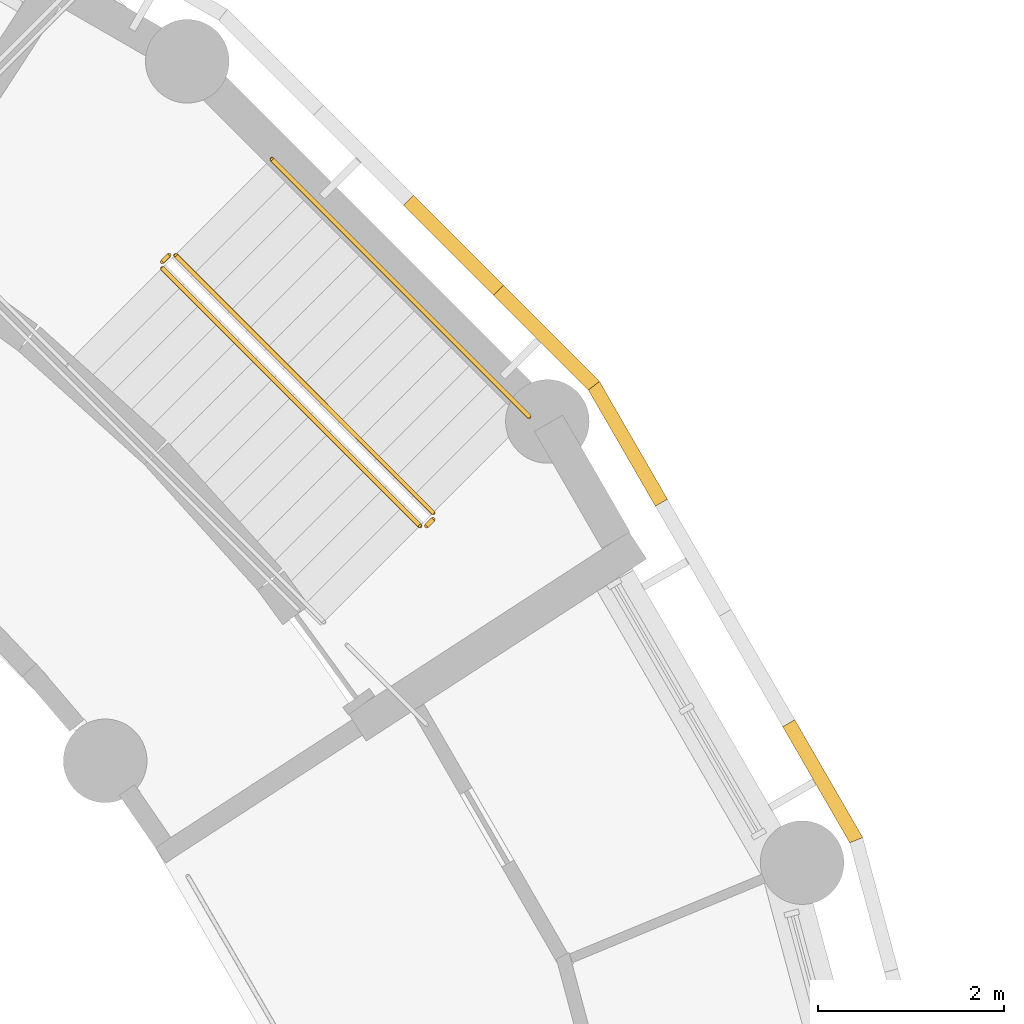
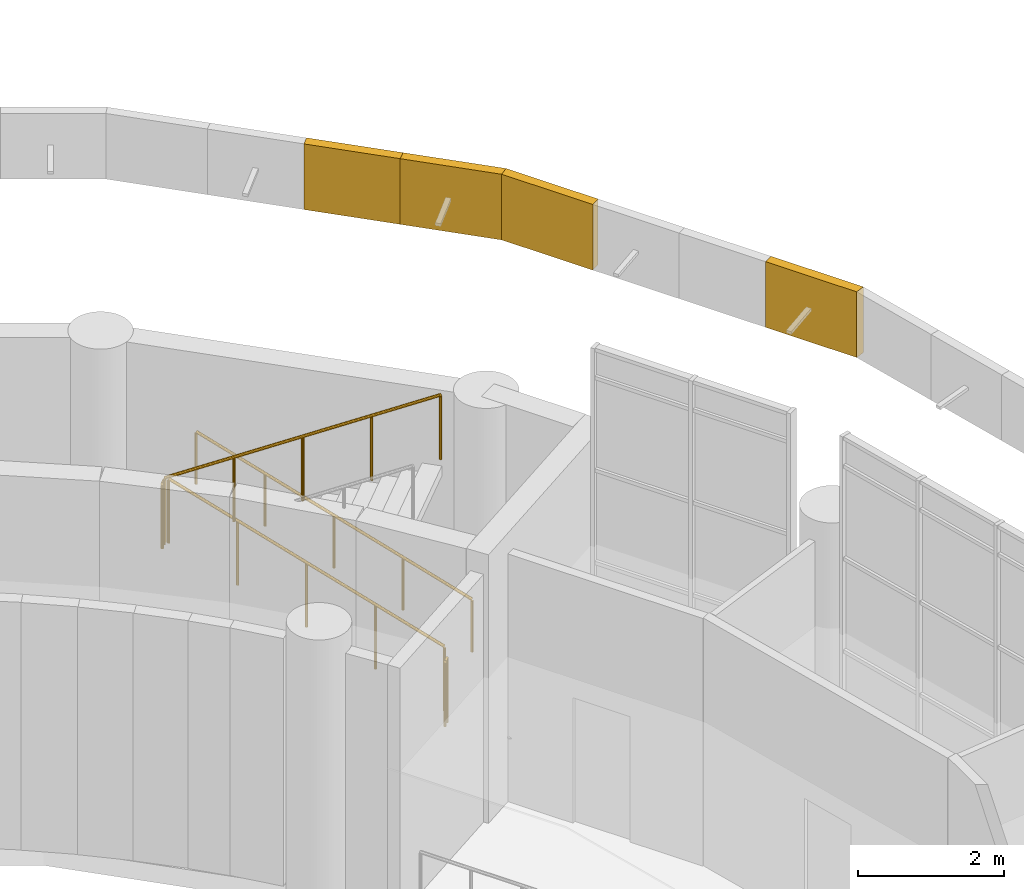
# One storey, part 119 of 136: 5 railings, 4 coverings.
"""IFC4 building model written with IfcOpenShell, lengths in metres."""

from ifc_helpers import new_model, si_unit, direction, frame, origin, origin_2d, place, context, subcontext, project, spatial, polyline, circle, outline, extrude, material, layer, layer_set, type_object, element, save


model = new_model("IFC4")

# Units and contexts
model_context = context("Model", 3, precision=1e-05, world=origin(), true_north=direction((0.0, 1.0)))
body_context = subcontext(model_context, "Body", "Model", "MODEL_VIEW")
ifc_project = project(units=[si_unit("LENGTHUNIT", "METRE"), si_unit("AREAUNIT", "SQUARE_METRE"), si_unit("VOLUMEUNIT", "CUBIC_METRE"), si_unit("PLANEANGLEUNIT", "RADIAN"), si_unit("MASSUNIT", "GRAM", prefix="KILO")], contexts=[model_context])

# Site, building, storey
site_placement = place(None, origin())
site = spatial("IfcSite", under=ifc_project, at=site_placement, CompositionType="ELEMENT")
building_placement = place(site_placement, origin())
building = spatial("IfcBuilding", under=site, at=building_placement, Name="Bougainvillea Quay General Hospital", CompositionType="ELEMENT")
storey_placement = place(building_placement, frame((0.0, 0.0, 5.39990234375)))
storey = spatial("IfcBuildingStorey", under=building, at=storey_placement, Name="L01", CompositionType="ELEMENT", Elevation=5.39990234375)

# Coverings
ifc_material_1 = material(Name="Powder-coated aluminium fascia, white", Category="aluminium")
ifc_layer = layer(ifc_material_1, 0.14990234375)
ifc_layer_set = layer_set([ifc_layer], Name="Powder-coated aluminium fascia, white")
covering_type = type_object("IfcCoveringType", Name="Aluminium fascia band white 150x1100", PredefinedType="CLADDING", material=ifc_layer_set)
covering_1_placement = place(storey_placement, frame((129.113525390625, 82.248291015625, 6.650146484375), z_axis=(0.0, 0.0, 1.0), x_axis=(-0.49994213401, 0.866058810152, 0.0)))
element("IfcCovering", 1, at=covering_1_placement, inside=storey, type_object=covering_type, Name="Fascia band white e1 7", PredefinedType="CLADDING", context=body_context, shape_type="SweptSolid", body=[
    extrude(outline(polyline([(0.0, 0.0), (1.4430380994058942, 0.0), (1.443016331686934, -0.14995740286665526), (-0.019704824865206458, -0.14987107548026693), (0.0, 0.0)])), origin(), (0.0, 0.0, 1.0), 1.10009765625),
])
covering_2_placement = place(storey_placement, frame((127.021484375, 85.8720703125, 6.650146484375), z_axis=(0.0, 0.0, 1.0), x_axis=(-0.500015396624, 0.866016514357, 0.0)))
element("IfcCovering", 2, at=covering_2_placement, inside=storey, type_object=covering_type, Name="Fascia band white e1 10", PredefinedType="CLADDING", context=body_context, shape_type="SweptSolid", body=[
    extrude(outline(polyline([(0.0, 0.0), (1.4428266644293797, 0.0), (1.4626866906226388, -0.15016746703797101), (-3.44533927520152e-05, -0.1499574004886377), (0.0, 0.0)])), origin(), (0.0, 0.0, 1.0), 1.10009765625),
])
covering_3_placement = place(storey_placement, frame((126.300048828125, 87.12158203125, 6.650146484375), z_axis=(0.0, 0.0, 1.0), x_axis=(-0.707022163611, 0.707191388638, 0.0)))
element("IfcCovering", 3, at=covering_3_placement, inside=storey, type_object=covering_type, Name="Fascia band white e1 11", PredefinedType="CLADDING", context=body_context, shape_type="SweptSolid", body=[
    extrude(outline(polyline([(0.0, 0.0), (1.4426980987993736, 1.1102230246251565e-16), (1.4428886835284849, -0.15001848238266435), (-0.019662245993976327, -0.15019349146840363), (0.0, 0.0)])), origin(), (0.0, 0.0, 1.0), 1.10009765625),
])
covering_4_placement = place(storey_placement, frame((125.280029296875, 88.141845703125, 6.650146484375), z_axis=(0.0, 0.0, 1.0), x_axis=(-0.707195843064, 0.707017708091, 0.0)))
element("IfcCovering", 4, at=covering_4_placement, inside=storey, type_object=covering_type, Name="Fascia band white e1 12", PredefinedType="CLADDING", context=body_context, shape_type="SweptSolid", body=[
    extrude(outline(polyline([(0.0, 0.0), (1.3705372998959335, 0.0), (1.3705183817530422, -0.15019113641407222), (0.00015373709223164, -0.15001852466893292), (0.0, 0.0)])), origin(), (0.0, 0.0, 1.0), 1.10009765625),
])

# Railings
ifc_material_2 = material(Name="Stainless steel 304 balustrade", Category="steel")
railing_type_1 = type_object("IfcRailingType", Name="Stair guard 1100", PredefinedType="GUARDRAIL", material=ifc_material_2)
railing_1_placement = place(storey_placement, frame((124.62939453125, 85.80078125, 0.150146484375)))
element("IfcRailing", 5, at=railing_1_placement, inside=storey, type_object=railing_type_1, Name="L01 ST-H1 stair guard 1", PredefinedType="GUARDRAIL", context=body_context, shape_type="SweptSolid", body=[
    extrude(circle(Radius=0.02392578125, at=origin_2d()), frame((0.0, 0.0, 1.076171875), z_axis=(-0.623282307951, 0.623337208181, 0.472196875776), x_axis=(-0.707137920976, -0.707075640025, 0.0)), (0.0, 0.0, 1.0), 4.447021484375),
    extrude(circle(Radius=0.02099609375, at=origin_2d()), origin(), (0.0, 0.0, 1.0), 1.052001953125),
    extrude(circle(Radius=0.02099609375, at=origin_2d()), frame((-0.69287109375, 0.69287109375, 0.52490234375)), (0.0, 0.0, 1.0), 1.052001953125),
    extrude(circle(Radius=0.02099609375, at=origin_2d()), frame((-1.3857421875, 1.385986328125, 1.0498046875)), (0.0, 0.0, 1.0), 1.052001953125),
    extrude(circle(Radius=0.02099609375, at=origin_2d()), frame((-2.078857421875, 2.0791015625, 1.574951171875)), (0.0, 0.0, 1.0), 1.052001953125),
    extrude(circle(Radius=0.02099609375, at=origin_2d()), frame((-2.771728515625, 2.77197265625, 2.099853515625)), (0.0, 0.0, 1.0), 1.052001953125),
])
railing_2_placement = place(storey_placement, frame((121.786865234375, 88.57275390625, 2.25)))
element("IfcRailing", 6, at=railing_2_placement, inside=storey, type_object=railing_type_1, Name="L01 ST-H1 stair guard 2", PredefinedType="GUARDRAIL", context=body_context, shape_type="SweptSolid", body=[
    extrude(circle(Radius=0.02392578125, at=origin_2d()), frame((0.0, 0.0, 1.076171875), z_axis=(-0.707106781187, -0.707106781187, 0.0), x_axis=(0.707106781187, -0.707106781187, 0.0)), (0.0, 0.0, 1.0), 0.10009765625),
    extrude(circle(Radius=0.02099609375, at=origin_2d()), origin(), (0.0, 0.0, 1.0), 1.052001953125),
    extrude(circle(Radius=0.02099609375, at=origin_2d()), frame((-0.07080078125, -0.07080078125, 0.0)), (0.0, 0.0, 1.0), 1.052001953125),
])
railing_3_placement = place(storey_placement, frame((121.716064453125, 88.43115234375, 2.400146484375)))
element("IfcRailing", 7, at=railing_3_placement, inside=storey, type_object=railing_type_1, Name="L01 ST-H1 stair guard 5", PredefinedType="GUARDRAIL", context=body_context, shape_type="SweptSolid", body=[
    extrude(circle(Radius=0.02392578125, at=origin_2d()), frame((0.0, 0.0, 1.076171875), z_axis=(0.623337208181, -0.623282307951, 0.472196875776), x_axis=(0.707075640025, 0.707137920976, 0.0)), (0.0, 0.0, 1.0), 4.447021484375),
    extrude(circle(Radius=0.02099609375, at=origin_2d()), origin(), (0.0, 0.0, 1.0), 1.052001953125),
    extrude(circle(Radius=0.02099609375, at=origin_2d()), frame((0.69287109375, -0.69287109375, 0.52490234375)), (0.0, 0.0, 1.0), 1.052001953125),
    extrude(circle(Radius=0.02099609375, at=origin_2d()), frame((1.385986328125, -1.3857421875, 1.0498046875)), (0.0, 0.0, 1.0), 1.052001953125),
    extrude(circle(Radius=0.02099609375, at=origin_2d()), frame((2.0791015625, -2.078857421875, 1.574951171875)), (0.0, 0.0, 1.0), 1.052001953125),
    extrude(circle(Radius=0.02099609375, at=origin_2d()), frame((2.77197265625, -2.771728515625, 2.099853515625)), (0.0, 0.0, 1.0), 1.052001953125),
])
railing_4_placement = place(storey_placement, frame((124.62939453125, 85.72998046875, 0.0)))
element("IfcRailing", 8, at=railing_4_placement, inside=storey, type_object=railing_type_1, Name="L01 ST-H1 stair guard 6", PredefinedType="GUARDRAIL", context=body_context, shape_type="SweptSolid", body=[
    extrude(circle(Radius=0.02392578125, at=origin_2d()), frame((0.0, 0.0, 1.076171875), z_axis=(-0.707106781187, -0.707106781187, 0.0), x_axis=(0.707106781187, -0.707106781187, 0.0)), (0.0, 0.0, 1.0), 0.099853515625),
    extrude(circle(Radius=0.02099609375, at=origin_2d()), origin(), (0.0, 0.0, 1.0), 1.052001953125),
    extrude(circle(Radius=0.02099609375, at=origin_2d()), frame((-0.070556640625, -0.070556640625, 0.0)), (0.0, 0.0, 1.0), 1.052001953125),
])
ifc_material_3 = material(Name="Stainless steel 304 handrail", Category="steel")
railing_type_2 = type_object("IfcRailingType", Name="Stair handrail 900", PredefinedType="HANDRAIL", material=ifc_material_3)
railing_5_placement = place(storey_placement, frame((125.6640625, 86.835205078125, 0.150146484375)))
element("IfcRailing", 9, at=railing_5_placement, inside=storey, type_object=railing_type_2, Name="L01 ST-H1 stair handrail 1", PredefinedType="HANDRAIL", context=body_context, shape_type="SweptSolid", body=[
    extrude(circle(Radius=0.02392578125, at=origin_2d()), frame((0.0, 0.0, 0.8759765625), z_axis=(-0.62331587877, 0.62331587877, 0.4721807181), x_axis=(-0.707106781187, -0.707106781187, 0.0)), (0.0, 0.0, 1.0), 4.447021484375),
    extrude(circle(Radius=0.02099609375, at=origin_2d()), origin(), (0.0, 0.0, 1.0), 0.851806640625),
    extrude(circle(Radius=0.02099609375, at=origin_2d()), frame((-0.69287109375, 0.69287109375, 0.52490234375)), (0.0, 0.0, 1.0), 0.851806640625),
    extrude(circle(Radius=0.02099609375, at=origin_2d()), frame((-1.385986328125, 1.385986328125, 1.0498046875)), (0.0, 0.0, 1.0), 0.851806640625),
    extrude(circle(Radius=0.02099609375, at=origin_2d()), frame((-2.0791015625, 2.0791015625, 1.574951171875)), (0.0, 0.0, 1.0), 0.851806640625),
    extrude(circle(Radius=0.02099609375, at=origin_2d()), frame((-2.77197265625, 2.77197265625, 2.099853515625)), (0.0, 0.0, 1.0), 0.851806640625),
])

save(model, "model.ifc")
